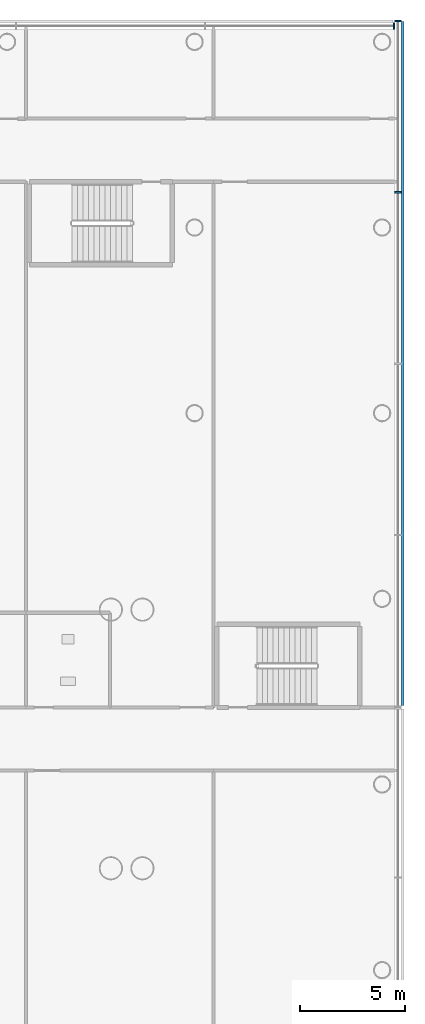
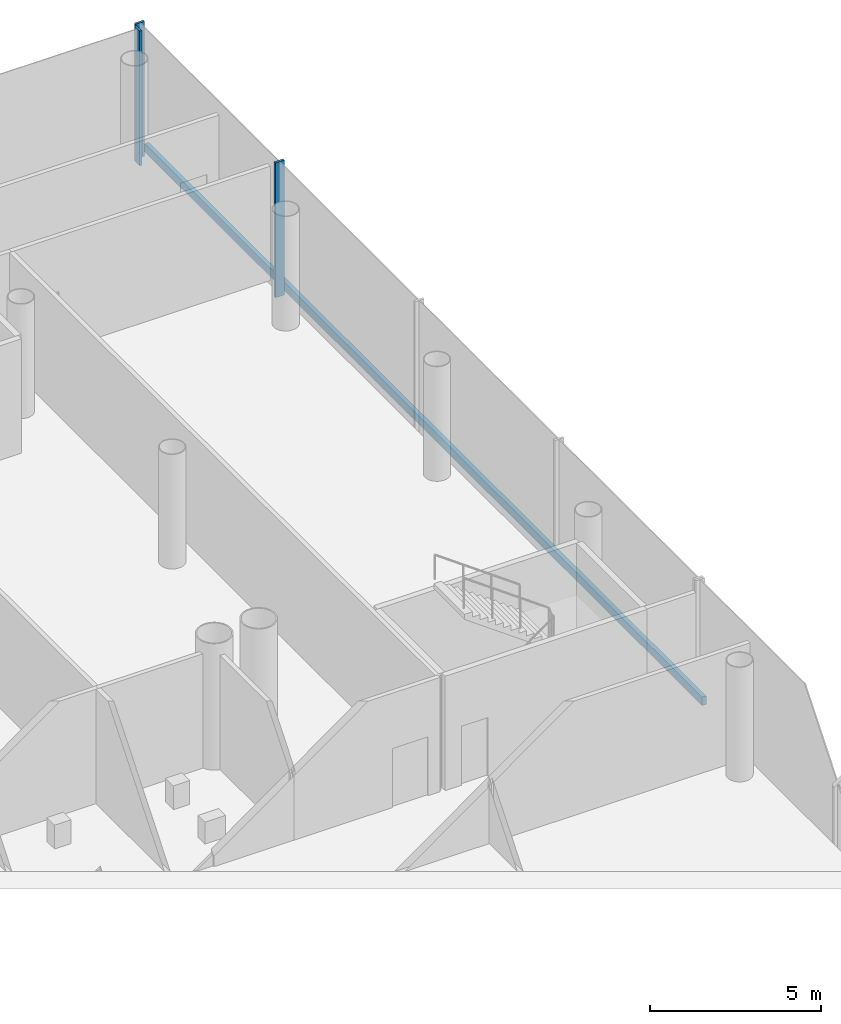
# One storey, part 14 of 49: 4 members, 2 elements without a shape of their own.
"""IFC4 building model written with IfcOpenShell, lengths in metres."""

from ifc_helpers import new_model, si_unit, direction, frame, origin, origin_2d, place, context, subcontext, project, spatial, rectangle, extrude, material, layer, layer_set, material_profile, profile_set, type_object, element, aggregate, save


model = new_model("IFC4")

# Units and contexts
model_context = context("Model", 3, precision=1e-05, world=origin(), true_north=direction((0.0, 1.0)))
body_context = subcontext(model_context, "Body", "Model", "MODEL_VIEW")
ifc_project = project(units=[si_unit("LENGTHUNIT", "METRE"), si_unit("AREAUNIT", "SQUARE_METRE"), si_unit("VOLUMEUNIT", "CUBIC_METRE"), si_unit("PLANEANGLEUNIT", "RADIAN"), si_unit("MASSUNIT", "GRAM", prefix="KILO")], contexts=[model_context])

# Site, building, storey
site_placement = place(None, origin())
site = spatial("IfcSite", under=ifc_project, at=site_placement, CompositionType="ELEMENT")
building_placement = place(site_placement, origin())
building = spatial("IfcBuilding", under=site, at=building_placement, Name="Ipe Terrace Towers", CompositionType="ELEMENT")
storey_placement = place(building_placement, frame((0.0, 0.0, 20.0)))
storey = spatial("IfcBuildingStorey", under=building, at=storey_placement, Name="L04", CompositionType="ELEMENT", Elevation=20.0)

# Curtain wall, members
ifc_material_1 = material(Name="Aluminium alloy 6063-T6", Category="aluminium")
ifc_layer = layer(ifc_material_1, 0.43994140625)
ifc_layer_set = layer_set([ifc_layer], Name="PODIUM GLAZING CURTAIN WALL")
curtain_wall_type = type_object("IfcCurtainWallType", Name="PODIUM GLAZING CURTAIN WALL", PredefinedType="NOTDEFINED", material=ifc_layer_set)
curtain_wall_1_placement = place(storey_placement, origin())
curtain_wall_1 = element("IfcCurtainWall", 1, at=curtain_wall_1_placement, inside=storey, type_object=curtain_wall_type, Name="POD-CW-L04-00b curtain wall", PredefinedType="NOTDEFINED")
ifc_material_2 = material(Name="Aluminium alloy 6063-T6", Category="aluminium")
ifc_material_profile_1 = material_profile(ifc_material_2, rectangle(XDim=0.300048828125, YDim=0.080078125, at=origin_2d()), Name="PODIUM GLAZING MULLION 300 x 80")
ifc_profile_set_1 = profile_set([ifc_material_profile_1], Name="Aluminium alloy 6063-T6")
member_type_1 = type_object("IfcMemberType", Name="PODIUM GLAZING MULLION 300 x 80", PredefinedType="MULLION", material=ifc_profile_set_1)
member_1_placement = place(storey_placement, frame((65.39990234375, 25.99755859375, -0.300048828125), z_axis=(0.0, 0.0, 1.0), x_axis=(1.0, 0.0, 0.0)))
member_1 = element("IfcMember", 2, at=member_1_placement, type_object=member_type_1, Name="POD-CW-L04-00b mullion 4", PredefinedType="MULLION", context=body_context, shape_type="SweptSolid", body=[
    extrude(rectangle(XDim=0.300048828125, YDim=0.080078125, at=origin_2d()), origin(), (0.0, 0.0, 1.0), 4.800048828125),
])
member_2_placement = place(storey_placement, frame((65.39990234375, 34.14990234375, -0.300048828125), z_axis=(0.0, 0.0, 1.0), x_axis=(1.0, 0.0, 0.0)))
member_2 = element("IfcMember", 3, at=member_2_placement, type_object=member_type_1, Name="POD-CW-L04-00b mullion 5", PredefinedType="MULLION", context=body_context, shape_type="SweptSolid", body=[
    extrude(rectangle(XDim=0.300048828125, YDim=0.080078125, at=origin_2d()), origin(), (0.0, 0.0, 1.0), 4.800048828125),
])

# Curtain wall, member
curtain_wall_2_placement = place(storey_placement, origin())
curtain_wall_2 = element("IfcCurtainWall", 4, at=curtain_wall_2_placement, inside=storey, type_object=curtain_wall_type, Name="POD-CW-L04-01a curtain wall", PredefinedType="NOTDEFINED")
member_3_placement = place(storey_placement, frame((65.2099609375, 33.89990234375, -0.300048828125), z_axis=(0.0, 0.0, 1.0), x_axis=(0.0, 1.0, 0.0)))
member_3 = element("IfcMember", 5, at=member_3_placement, type_object=member_type_1, Name="POD-CW-L04-01a mullion 1", PredefinedType="MULLION", context=body_context, shape_type="SweptSolid", body=[
    extrude(rectangle(XDim=0.300048828125, YDim=0.080078125, at=origin_2d()), origin(), (0.0, 0.0, 1.0), 4.800048828125),
])
aggregate(curtain_wall_2, [member_3])

# Member
ifc_material_3 = material(Name="Aluminium alloy 6063-T6", Category="aluminium")
ifc_material_profile_2 = material_profile(ifc_material_3, rectangle(XDim=0.139892578125, YDim=0.300048828125, at=origin_2d()), Name="PODIUM GLAZING TRANSOM 140 x 300")
ifc_profile_set_2 = profile_set([ifc_material_profile_2], Name="Aluminium alloy 6063-T6")
member_type_2 = type_object("IfcMemberType", Name="PODIUM GLAZING TRANSOM 140 x 300", PredefinedType="USERDEFINED", material=ifc_profile_set_2)
member_4_placement = place(storey_placement, frame((65.6201171875, 1.580078125, 0.0), z_axis=(0.0, 1.0, 0.0), x_axis=(1.0, 0.0, 0.0)))
member_4 = element("IfcMember", 6, at=member_4_placement, type_object=member_type_2, Name="POD-CW-L04-00b transom", ObjectType="TRANSOM", PredefinedType="USERDEFINED", context=body_context, shape_type="SweptSolid", body=[
    extrude(rectangle(XDim=0.139892578125, YDim=0.300048828125, at=origin_2d()), origin(), (0.0, 0.0, 1.0), 32.530029296875),
])

aggregate(curtain_wall_1, [member_1, member_2, member_4])

save(model, "model.ifc")
